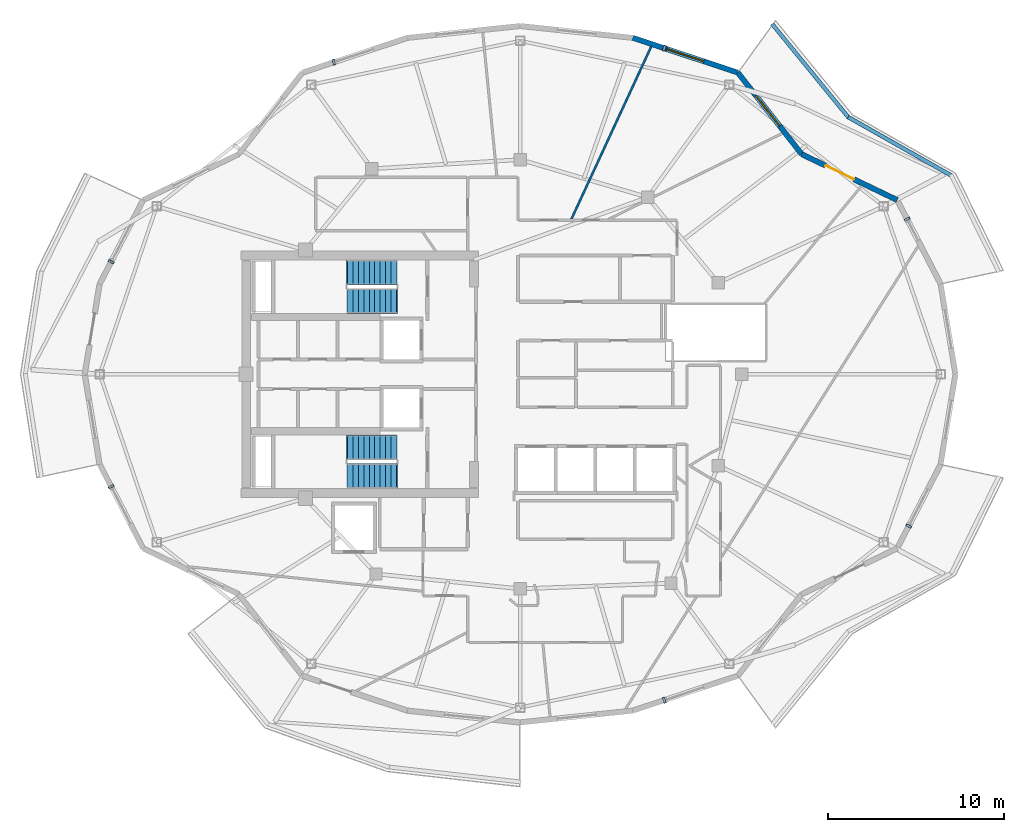
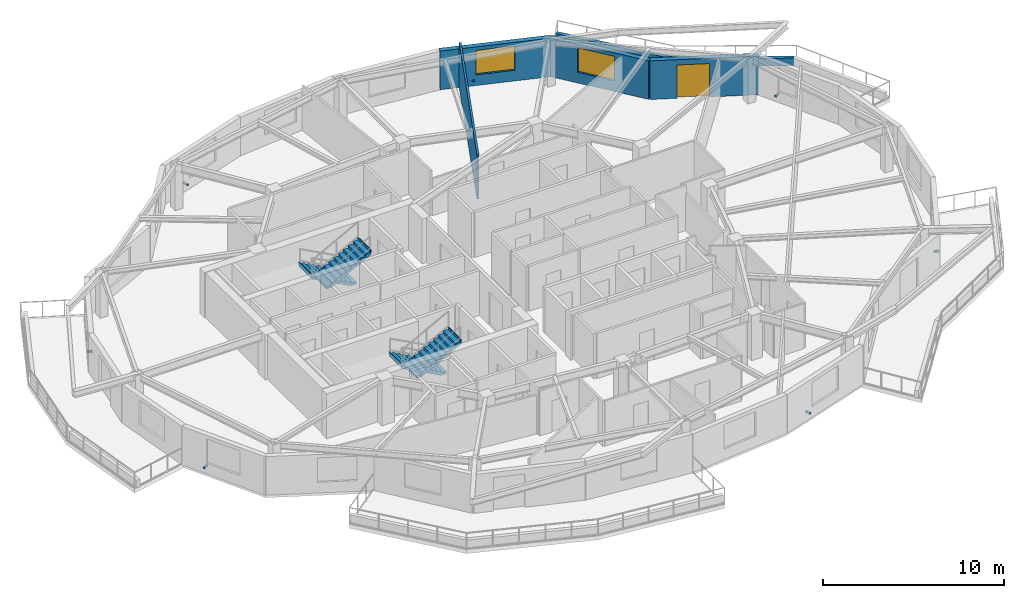
# One storey, part 7 of 10: 7 discrete accessories, 6 walls, 4 stair flights, 2 windows, 1 door, 3 openings, 2 elements without a shape of their own.
"""IFC4 building model written with IfcOpenShell, lengths in metres."""

from ifc_helpers import new_model, si_unit, direction, frame, frame_2d, origin, origin_2d, place, context, subcontext, project, spatial, polyline, rectangle, outline, extrude, material, layer, layer_set, type_object, element, fill, aggregate, save


model = new_model("IFC4")

# Units and contexts
model_context = context("Model", 3, precision=1e-05, world=origin(), true_north=direction((0.0, 1.0)))
body_context = subcontext(model_context, "Body", "Model", "MODEL_VIEW")
ifc_project = project(units=[si_unit("LENGTHUNIT", "METRE"), si_unit("AREAUNIT", "SQUARE_METRE"), si_unit("VOLUMEUNIT", "CUBIC_METRE"), si_unit("PLANEANGLEUNIT", "RADIAN"), si_unit("MASSUNIT", "GRAM", prefix="KILO")], contexts=[model_context])

# Site, building, storey
site_placement = place(None, origin())
site = spatial("IfcSite", under=ifc_project, at=site_placement, CompositionType="ELEMENT")
building_placement = place(site_placement, origin())
building = spatial("IfcBuilding", under=site, at=building_placement, Name="Kolvaren Gate Tower and Convention Centre", CompositionType="ELEMENT")
storey_placement = place(building_placement, frame((0.0, 0.0, 203.0)))
storey = spatial("IfcBuildingStorey", under=building, at=storey_placement, Name="L53", CompositionType="ELEMENT", Elevation=203.0)

# Walls
ifc_material_1 = material(Name="Fire-Rated Acoustic Gypsum Stud Partition", Category="gypsum")
ifc_layer_1 = layer(ifc_material_1, 0.1201171875)
ifc_layer_set_1 = layer_set([ifc_layer_1], Name="Fire-Rated Acoustic Gypsum Stud Partition")
wall_type_1 = type_object("IfcWallType", Name="ARCH-WL-PART-120", PredefinedType="PARTITIONING", material=ifc_layer_set_1)
wall_1_placement = place(storey_placement, frame((33.03759765625, 35.81201171875, 0.0), z_axis=(0.0, 0.0, 1.0), x_axis=(0.419785881818, 0.907623167083, 0.0)))
element("IfcWall", 1, at=wall_1_placement, inside=storey, type_object=wall_type_1, Name="Interior Partition WL-L53-INT-081", PredefinedType="PARTITIONING", context=body_context, shape_type="SweptSolid", body=[
    extrude(rectangle(XDim=10.805908203125, YDim=0.1201171875, at=frame_2d((5.40283203125, 0.0))), origin(), (0.0, 0.0, 1.0), 3.030029296875),
])
ifc_material_2 = material(Name="Piedmont Cream Honed Limestone Cladding", Category="masonry")
ifc_layer_2 = layer(ifc_material_2, 0.219970703125)
ifc_layer_set_2 = layer_set([ifc_layer_2], Name="Piedmont Cream Honed Limestone Cladding")
wall_type_2 = type_object("IfcWallType", Name="ARCH-WL-PLANTER-220", PredefinedType="PARAPET", material=ifc_layer_set_2)
wall_2_placement = place(storey_placement, frame((48.7763671875, 41.61669921875, 0.0), z_axis=(0.0, 0.0, 1.0), x_axis=(0.869860619267, -0.493297580623, 0.0)))
element("IfcWall", 2, at=wall_2_placement, inside=storey, type_object=wall_type_2, Name="Vertical-Forest Balcony Stone Planter Kerb PK-L53-1.2", PredefinedType="PARAPET", context=body_context, shape_type="SweptSolid", body=[
    extrude(rectangle(XDim=6.74267578125, YDim=0.219970703125, at=frame_2d((3.371337890625, 0.0))), origin(), (0.0, 0.0, 1.0), 0.52001953125),
])
wall_3_placement = place(storey_placement, frame((44.4482421875, 46.912841796875, 0.0), z_axis=(0.0, 0.0, 1.0), x_axis=(0.632697312147, -0.774399193699, 0.0)))
element("IfcWall", 3, at=wall_3_placement, inside=storey, type_object=wall_type_2, Name="Vertical-Forest Balcony Stone Planter Kerb PK-L53-1.3", PredefinedType="PARAPET", context=body_context, shape_type="SweptSolid", body=[
    extrude(rectangle(XDim=6.9140625, YDim=0.219970703125, at=frame_2d((3.45703125, 0.0))), origin(), (0.0, 0.0, 1.0), 0.52001953125),
])

# Wall, opening, door
ifc_layer_3 = layer(ifc_material_2, 0.300048828125)
ifc_layer_set_3 = layer_set([ifc_layer_3], Name="Piedmont Cream Honed Limestone Cladding")
wall_type_3 = type_object("IfcWallType", Name="ARCH-WL-STONE-300", PredefinedType="SOLIDWALL", material=ifc_layer_set_3)
wall_4_placement = place(storey_placement, frame((46.132568359375, 39.50732421875, 0.0), z_axis=(0.0, 0.0, 1.0), x_axis=(0.901348331142, -0.433094892545, 0.0)))
wall_4 = element("IfcWall", 4, at=wall_4_placement, inside=storey, type_object=wall_type_3, Name="Tower L53 Honed Stone Spandrel Wall EW-02", PredefinedType="SOLIDWALL", context=body_context, shape_type="SweptSolid", body=[
    extrude(rectangle(XDim=6.0205078125, YDim=0.300048828125, at=frame_2d((3.01025390625, 0.0))), origin(), (0.0, 0.0, 1.0), 2.60498046875),
])
opening_1_placement = place(wall_4_placement, frame((1.5, 0.0, 0.0)))
opening_1 = element("IfcOpeningElement", 5, at=opening_1_placement, cuts=wall_4, Name="Opening DB-01", PredefinedType="OPENING", context=body_context, shape_type="SweptSolid", body=[
    extrude(rectangle(XDim=1.800048828125, YDim=2.25, at=frame_2d((0.89990234375, 1.125))), frame((0.0, 0.159912109375, 0.0), z_axis=(0.0, -1.0, 0.0), x_axis=(1.0, 0.0, 0.0)), (0.0, 0.0, 1.0), 0.320068359375),
])
ifc_material_3 = material(Name="Anodized Architectural Aluminium Alloy 6063-T6", Category="aluminium")
door_type = type_object("IfcDoorType", Name="ARCH-DR-BALC-1800", OperationType="SLIDING_TO_LEFT", PredefinedType="DOOR", material=ifc_material_3)
door_placement = place(opening_1_placement, origin())
door = element("IfcDoor", 6, at=door_placement, inside=storey, type_object=door_type, Name="Planted Sky Terrace Access Door DB-L53-02", OperationType="SLIDING_TO_LEFT", OverallHeight=2.25, OverallWidth=1.800048828125, PredefinedType="DOOR", context=body_context, shape_type="SweptSolid", body=[
    extrude(rectangle(XDim=1.800048828125, YDim=2.25, at=frame_2d((0.89990234375, 1.125))), frame((0.0, 0.02490234375, 0.0), z_axis=(0.0, -1.0, 0.0), x_axis=(1.0, 0.0, 0.0)), (0.0, 0.0, 1.0), 0.050048828125),
])
fill(opening_1, door)

# Wall, opening, window
wall_5_placement = place(storey_placement, frame((42.5, 44.147216796875, 0.0), z_axis=(0.0, 0.0, 1.0), x_axis=(0.616450126935, -0.787393955401, 0.0)))
wall_5 = element("IfcWall", 7, at=wall_5_placement, inside=storey, type_object=wall_type_3, Name="Tower L53 Honed Stone Spandrel Wall EW-03", PredefinedType="SOLIDWALL", context=body_context, shape_type="SweptSolid", body=[
    extrude(rectangle(XDim=5.892822265625, YDim=0.300048828125, at=frame_2d((2.9462890625, 0.0))), origin(), (0.0, 0.0, 1.0), 2.60498046875),
])
opening_2_placement = place(wall_5_placement, frame((1.64990234375, 0.0, 0.719970703125)))
opening_2 = element("IfcOpeningElement", 8, at=opening_2_placement, cuts=wall_5, Name="Opening W-03", PredefinedType="OPENING", context=body_context, shape_type="SweptSolid", body=[
    extrude(rectangle(XDim=2.199951171875, YDim=1.64990234375, at=frame_2d((1.10009765625, 0.824951171875))), frame((0.0, 0.159912109375, 0.0), z_axis=(0.0, -1.0, 0.0), x_axis=(1.0, 0.0, 0.0)), (0.0, 0.0, 1.0), 0.320068359375),
])
ifc_material_4 = material(Name="Low-E Triple Insulated Glazing Unit 44 mm", Category="glass")
window_type = type_object("IfcWindowType", Name="ARCH-WN-RES-2200", PartitioningType="SINGLE_PANEL", PredefinedType="WINDOW", material=ifc_material_4)
window_1_placement = place(opening_2_placement, origin())
window_1 = element("IfcWindow", 9, at=window_1_placement, inside=storey, type_object=window_type, Name="Tower L53 Punched Stone Facade Window W-03", OverallHeight=1.64990234375, OverallWidth=2.199951171875, PartitioningType="SINGLE_PANEL", PredefinedType="WINDOW", context=body_context, shape_type="SweptSolid", body=[
    extrude(rectangle(XDim=2.199951171875, YDim=1.64990234375, at=frame_2d((1.10009765625, 0.824951171875))), frame((0.0, 0.030029296875, 0.0), z_axis=(0.0, -1.0, 0.0), x_axis=(1.0, 0.0, 0.0)), (0.0, 0.0, 1.0), 0.06005859375),
])
fill(opening_2, window_1)

wall_6_placement = place(storey_placement, frame((36.53076171875, 46.125244140625, 0.0), z_axis=(0.0, 0.0, 1.0), x_axis=(0.949240877604, -0.314550085495, 0.0)))
wall_6 = element("IfcWall", 10, at=wall_6_placement, inside=storey, type_object=wall_type_3, Name="Tower L53 Honed Stone Spandrel Wall EW-04", PredefinedType="SOLIDWALL", context=body_context, shape_type="SweptSolid", body=[
    extrude(rectangle(XDim=6.288330078125, YDim=0.300048828125, at=frame_2d((3.14404296875, 0.0))), origin(), (0.0, 0.0, 1.0), 2.60498046875),
])
opening_3_placement = place(wall_6_placement, frame((2.0439453125, 0.0, 0.719970703125)))
opening_3 = element("IfcOpeningElement", 11, at=opening_3_placement, cuts=wall_6, Name="Opening W-03", PredefinedType="OPENING", context=body_context, shape_type="SweptSolid", body=[
    extrude(rectangle(XDim=2.199951171875, YDim=1.64990234375, at=frame_2d((1.10009765625, 0.824951171875))), frame((0.0, 0.159912109375, 0.0), z_axis=(0.0, -1.0, 0.0), x_axis=(1.0, 0.0, 0.0)), (0.0, 0.0, 1.0), 0.320068359375),
])
window_2_placement = place(opening_3_placement, origin())
window_2 = element("IfcWindow", 12, at=window_2_placement, inside=storey, type_object=window_type, Name="Tower L53 Punched Stone Facade Window W-04", OverallHeight=1.64990234375, OverallWidth=2.199951171875, PartitioningType="SINGLE_PANEL", PredefinedType="WINDOW", context=body_context, shape_type="SweptSolid", body=[
    extrude(rectangle(XDim=2.199951171875, YDim=1.64990234375, at=frame_2d((1.10009765625, 0.824951171875))), frame((0.0, 0.030029296875, 0.0), z_axis=(0.0, -1.0, 0.0), x_axis=(1.0, 0.0, 0.0)), (0.0, 0.0, 1.0), 0.06005859375),
])
fill(opening_3, window_2)

# Stair, stair flights
ifc_material_5 = material(Name="Concrete C50/60", Category="concrete")
stair_type = type_object("IfcStairType", Name="STR-STAIR-CORE", PredefinedType="HALF_TURN_STAIR", material=ifc_material_5)
stair_1_placement = place(storey_placement, origin())
stair_1 = element("IfcStair", 13, at=stair_1_placement, inside=storey, type_object=stair_type, Name="L53 Tower North Exit Stair ST-T1", PredefinedType="HALF_TURN_STAIR")
stair_flight_type = type_object("IfcStairFlightType", Name="STR-SFL-1420", PredefinedType="STRAIGHT", material=ifc_material_5)
stair_flight_1_placement = place(storey_placement, frame((23.10009765625, 32.7900390625, 0.0), z_axis=(0.0, 0.0, 1.0), x_axis=(-1.0, 0.0, 0.0)))
stair_flight_1 = element("IfcStairFlight", 14, at=stair_flight_1_placement, type_object=stair_flight_type, Name="ST-T1 flight 1", NumberOfRisers=10, NumberOfTreads=9, PredefinedType="STRAIGHT", RiserHeight=0.165, TreadLength=0.31, context=body_context, shape_type="SweptSolid", body=[
    extrude(outline(polyline([(-0.034912109375, 0.0), (-0.034912109375, 0.1650390625), (0.31005859375, 0.1650390625), (0.31005859375, 0.330078125), (0.6201171875, 0.330078125), (0.6201171875, 0.4951171875), (0.929931640625, 0.4951171875), (0.929931640625, 0.659912109375), (1.239990234375, 0.659912109375), (1.239990234375, 0.824951171875), (1.550048828125, 0.824951171875), (1.550048828125, 0.989990234375), (1.860107421875, 0.989990234375), (1.860107421875, 1.155029296875), (2.169921875, 1.155029296875), (2.169921875, 1.320068359375), (2.47998046875, 1.320068359375), (2.47998046875, 1.485107421875), (2.7900390625, 1.485107421875), (2.7900390625, 1.64990234375), (2.8349609375, 1.64990234375), (2.8349609375, 1.489990234375), (2.7900390625, 1.315185546875), (0.319091796875, 0.0), (-0.034912109375, 0.0)])), frame((0.0, 0.7099609375, 0.0), z_axis=(0.0, -1.0, 0.0), x_axis=(1.0, 0.0, 0.0)), (0.0, 0.0, 1.0), 1.419921875),
])
stair_flight_2_placement = place(storey_placement, frame((20.31005859375, 31.169921875, 1.64990234375), z_axis=(0.0, 0.0, 1.0), x_axis=(1.0, 0.0, 0.0)))
stair_flight_2 = element("IfcStairFlight", 15, at=stair_flight_2_placement, type_object=stair_flight_type, Name="ST-T1 flight 2", NumberOfRisers=10, NumberOfTreads=9, PredefinedType="STRAIGHT", RiserHeight=0.165, TreadLength=0.31, context=body_context, shape_type="SweptSolid", body=[
    extrude(outline(polyline([(-0.034912109375, 0.0), (-0.034912109375, 0.1650390625), (0.31005859375, 0.1650390625), (0.31005859375, 0.330078125), (0.6201171875, 0.330078125), (0.6201171875, 0.4951171875), (0.929931640625, 0.4951171875), (0.929931640625, 0.659912109375), (1.239990234375, 0.659912109375), (1.239990234375, 0.824951171875), (1.550048828125, 0.824951171875), (1.550048828125, 0.989990234375), (1.860107421875, 0.989990234375), (1.860107421875, 1.155029296875), (2.169921875, 1.155029296875), (2.169921875, 1.320068359375), (2.47998046875, 1.320068359375), (2.47998046875, 1.485107421875), (2.7900390625, 1.485107421875), (2.7900390625, 1.64990234375), (2.8349609375, 1.64990234375), (2.8349609375, 1.489990234375), (2.7900390625, 1.315185546875), (0.319091796875, 0.0), (-0.034912109375, 0.0)])), frame((0.0, 0.7099609375, 0.0), z_axis=(0.0, -1.0, 0.0), x_axis=(1.0, 0.0, 0.0)), (0.0, 0.0, 1.0), 1.419921875),
])
aggregate(stair_1, [stair_flight_1, stair_flight_2])

stair_2_placement = place(storey_placement, origin())
stair_2 = element("IfcStair", 16, at=stair_2_placement, inside=storey, type_object=stair_type, Name="L53 Tower South Exit Stair ST-T2", PredefinedType="HALF_TURN_STAIR")
stair_flight_3_placement = place(storey_placement, frame((23.10009765625, 22.830078125, 0.0), z_axis=(0.0, 0.0, 1.0), x_axis=(-1.0, 0.0, 0.0)))
stair_flight_3 = element("IfcStairFlight", 17, at=stair_flight_3_placement, type_object=stair_flight_type, Name="ST-T2 flight 1", NumberOfRisers=10, NumberOfTreads=9, PredefinedType="STRAIGHT", RiserHeight=0.165, TreadLength=0.31, context=body_context, shape_type="SweptSolid", body=[
    extrude(outline(polyline([(-0.034912109375, 0.0), (-0.034912109375, 0.1650390625), (0.31005859375, 0.1650390625), (0.31005859375, 0.330078125), (0.6201171875, 0.330078125), (0.6201171875, 0.4951171875), (0.929931640625, 0.4951171875), (0.929931640625, 0.659912109375), (1.239990234375, 0.659912109375), (1.239990234375, 0.824951171875), (1.550048828125, 0.824951171875), (1.550048828125, 0.989990234375), (1.860107421875, 0.989990234375), (1.860107421875, 1.155029296875), (2.169921875, 1.155029296875), (2.169921875, 1.320068359375), (2.47998046875, 1.320068359375), (2.47998046875, 1.485107421875), (2.7900390625, 1.485107421875), (2.7900390625, 1.64990234375), (2.8349609375, 1.64990234375), (2.8349609375, 1.489990234375), (2.7900390625, 1.315185546875), (0.319091796875, 0.0), (-0.034912109375, 0.0)])), frame((0.0, 0.7099609375, 0.0), z_axis=(0.0, -1.0, 0.0), x_axis=(1.0, 0.0, 0.0)), (0.0, 0.0, 1.0), 1.419921875),
])
stair_flight_4_placement = place(storey_placement, frame((20.31005859375, 21.2099609375, 1.64990234375), z_axis=(0.0, 0.0, 1.0), x_axis=(1.0, 0.0, 0.0)))
stair_flight_4 = element("IfcStairFlight", 18, at=stair_flight_4_placement, type_object=stair_flight_type, Name="ST-T2 flight 2", NumberOfRisers=10, NumberOfTreads=9, PredefinedType="STRAIGHT", RiserHeight=0.165, TreadLength=0.31, context=body_context, shape_type="SweptSolid", body=[
    extrude(outline(polyline([(-0.034912109375, 0.0), (-0.034912109375, 0.1650390625), (0.31005859375, 0.1650390625), (0.31005859375, 0.330078125), (0.6201171875, 0.330078125), (0.6201171875, 0.4951171875), (0.929931640625, 0.4951171875), (0.929931640625, 0.659912109375), (1.239990234375, 0.659912109375), (1.239990234375, 0.824951171875), (1.550048828125, 0.824951171875), (1.550048828125, 0.989990234375), (1.860107421875, 0.989990234375), (1.860107421875, 1.155029296875), (2.169921875, 1.155029296875), (2.169921875, 1.320068359375), (2.47998046875, 1.320068359375), (2.47998046875, 1.485107421875), (2.7900390625, 1.485107421875), (2.7900390625, 1.64990234375), (2.8349609375, 1.64990234375), (2.8349609375, 1.489990234375), (2.7900390625, 1.315185546875), (0.319091796875, 0.0), (-0.034912109375, 0.0)])), frame((0.0, 0.7099609375, 0.0), z_axis=(0.0, -1.0, 0.0), x_axis=(1.0, 0.0, 0.0)), (0.0, 0.0, 1.0), 1.419921875),
])
aggregate(stair_2, [stair_flight_3, stair_flight_4])

# Discrete accessories
discrete_accessory_type = type_object("IfcDiscreteAccessoryType", Name="ARCH-ACC-BRACKET-120", PredefinedType="BRACKET", material=ifc_material_3)
for number, where, z_axis, x_axis, name in (
    (19, (52.1201171875, 35.816650390625, 0.2900390625), (0.0, 0.0, 1.0), (0.459799959359, -0.888022520758, 0.0), "Ceramic Fin Wall Anchor Bracket FBK-L53-01"),
    (20, (38.319091796875, 45.53271484375, 0.2900390625), (0.0, 0.0, 1.0), (0.949241728595, -0.314547517385, 0.0), "Ceramic Fin Wall Anchor Bracket FBK-L53-04"),
    (21, (19.538330078125, 44.739990234375, 0.2900390625), (0.0, 0.0, 1.0), (0.949241728595, 0.314547517385, 0.0), "Ceramic Fin Wall Anchor Bracket FBK-L53-07"),
    (22, (6.87548828125, 33.3935546875, 0.2900390625), (0.0, 0.0, 1.0), (0.459799959359, 0.888022520758, 0.0), "Ceramic Fin Wall Anchor Bracket FBK-L53-10"),
    (23, (6.87548828125, 20.6064453125, 0.2900390625), (0.0, 0.0, 1.0), (0.459799959359, -0.888022520758, 0.0), "Ceramic Fin Wall Anchor Bracket FBK-L53-13"),
    (24, (38.319091796875, 8.46728515625, 0.2900390625), (0.0, 0.0, 1.0), (0.949241728595, 0.314547517385, 0.0), "Ceramic Fin Wall Anchor Bracket FBK-L53-19"),
    (25, (52.21630859375, 18.368896484375, 0.2900390625), (0.0, 0.0, 1.0), (0.459799959359, 0.888022520758, 0.0), "Ceramic Fin Wall Anchor Bracket FBK-L53-22"),
):
    element("IfcDiscreteAccessory", number, at=place(storey_placement, frame(where, z_axis=z_axis, x_axis=x_axis)), inside=storey, type_object=discrete_accessory_type, Name=name, PredefinedType="BRACKET", context=body_context, shape_type="SweptSolid", body=[
        extrude(rectangle(XDim=0.1201171875, YDim=0.320068359375, at=origin_2d()), origin(), (0.0, 0.0, 1.0), 0.1201171875),
    ])

save(model, "model.ifc")
